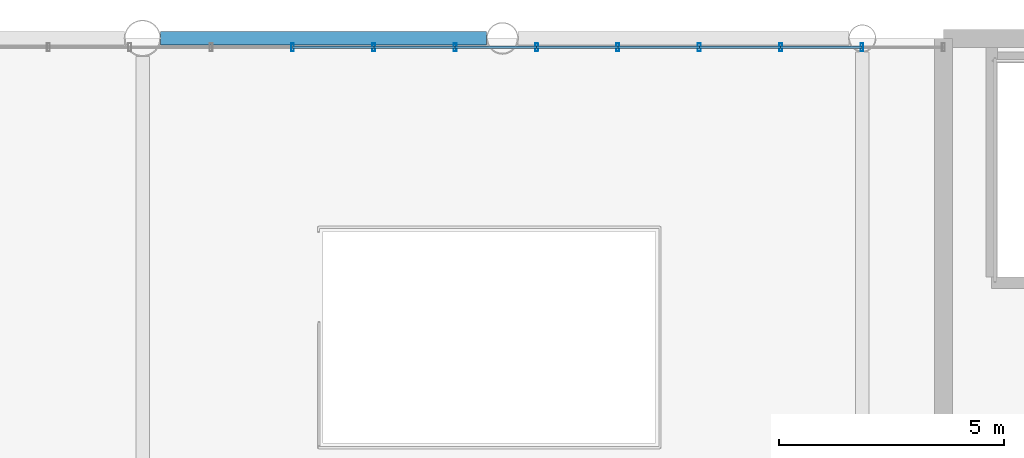
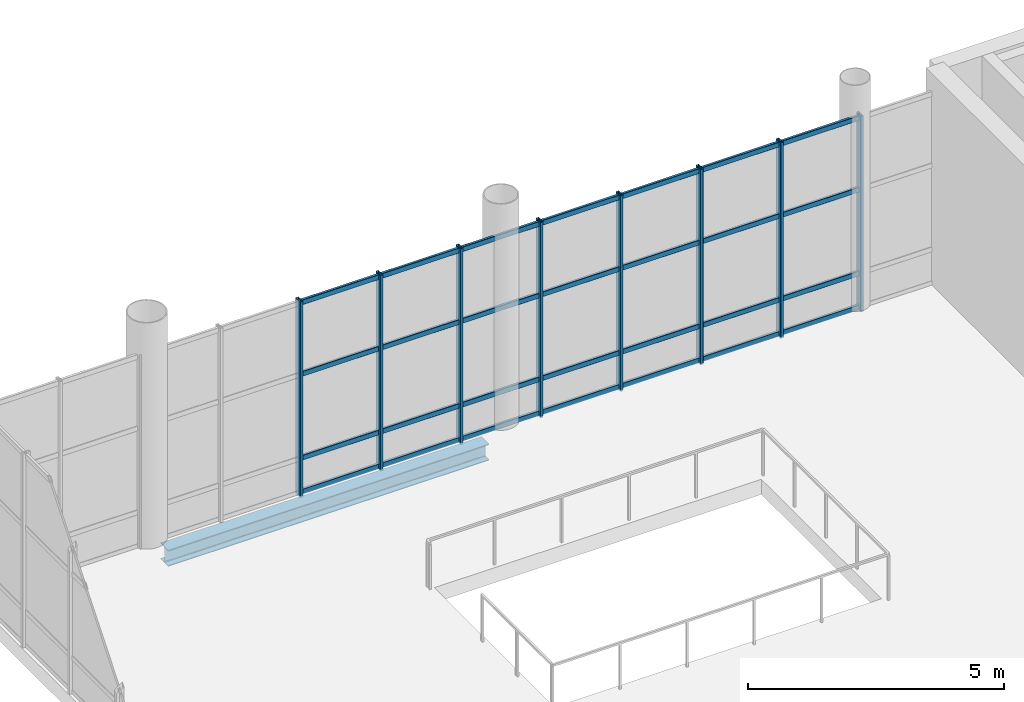
# One storey, part 111 of 176: 36 members, 1 beam, 1 element without a shape of its own.
"""IFC4 building model written with IfcOpenShell, lengths in metres."""

from ifc_helpers import new_model, si_unit, direction, frame, origin, origin_2d, place, context, subcontext, project, spatial, hollow_rectangle, i_section, extrude, material, layer, layer_set, material_profile, profile_set, type_object, element, aggregate, save


model = new_model("IFC4")

# Units and contexts
model_context = context("Model", 3, precision=1e-05, world=origin(), true_north=direction((0.0, 1.0)))
body_context = subcontext(model_context, "Body", "Model", "MODEL_VIEW")
ifc_project = project(units=[si_unit("LENGTHUNIT", "METRE"), si_unit("AREAUNIT", "SQUARE_METRE"), si_unit("VOLUMEUNIT", "CUBIC_METRE"), si_unit("PLANEANGLEUNIT", "RADIAN"), si_unit("MASSUNIT", "GRAM", prefix="KILO")], contexts=[model_context])

# Site, building, storey
site_placement = place(None, origin())
site = spatial("IfcSite", under=ifc_project, at=site_placement, CompositionType="ELEMENT")
building_placement = place(site_placement, origin())
building = spatial("IfcBuilding", under=site, at=building_placement, Name="Khorjan Park Terminus", CompositionType="ELEMENT")
storey_placement = place(building_placement, frame((0.0, 0.0, 6.0)))
storey = spatial("IfcBuildingStorey", under=building, at=storey_placement, Name="L01", CompositionType="ELEMENT", Elevation=6.0)

# Beam
ifc_material_1 = material(Name="Steel S355", Category="steel")
ifc_material_profile_1 = material_profile(ifc_material_1, i_section(OverallWidth=0.3, OverallDepth=0.39, WebThickness=0.011, FlangeThickness=0.019, FilletRadius=0.027, at=origin_2d()), Name="HEA 400")
ifc_profile_set_1 = profile_set([ifc_material_profile_1], Name="Steel S355")
beam_type = type_object("IfcBeamType", Name="BM-HEA400", PredefinedType="BEAM", material=ifc_profile_set_1)
beam_placement = place(storey_placement, frame((56.4015, 154.0, -0.555), z_axis=(1.0, 0.0, 0.0), x_axis=(0.0, 1.0, 0.0)))
element("IfcBeam", 1, at=beam_placement, inside=storey, type_object=beam_type, Name="Primary floor girder SB-A40 (L01)", PredefinedType="BEAM", context=body_context, shape_type="SweptSolid", body=[
    extrude(i_section(OverallWidth=0.3, OverallDepth=0.39, WebThickness=0.011, FlangeThickness=0.019, FilletRadius=0.027, at=origin_2d()), origin(), (0.0, 0.0, 1.0), 7.248),
])

# Curtain wall, members
ifc_material_2 = material(Name="Anodized Bronze Aluminium", Category="aluminium")
ifc_layer = layer(ifc_material_2, 0.22)
ifc_layer_set = layer_set([ifc_layer], Name="Anodized Bronze Aluminium")
curtain_wall_type = type_object("IfcCurtainWallType", Name="CW-BRG-D", PredefinedType="NOTDEFINED", material=ifc_layer_set)
curtain_wall_placement = place(storey_placement, origin())
curtain_wall = element("IfcCurtainWall", 2, at=curtain_wall_placement, inside=storey, type_object=curtain_wall_type, Name="Unitized curtain wall CW-D (CW-BRW-N)", PredefinedType="NOTDEFINED")
ifc_material_profile_2 = material_profile(ifc_material_2, hollow_rectangle(XDim=0.065, YDim=0.18, WallThickness=0.004, InnerFilletRadius=0.004, OuterFilletRadius=0.008, at=origin_2d()), Name="ALM 65x180x4")
ifc_profile_set_2 = profile_set([ifc_material_profile_2], Name="Anodized Bronze Aluminium")
member_type_1 = type_object("IfcMemberType", Name="ML-ALM-180", PredefinedType="MULLION", material=ifc_profile_set_2)
member_1_placement = place(storey_placement, frame((71.9917, 153.8, -0.035), z_axis=(0.0, 0.0, 1.0), x_axis=(-1.0, 0.0, 0.0)))
member_1 = element("IfcMember", 3, at=member_1_placement, type_object=member_type_1, Name="Curtain-wall mullion ML-18 (CW-BRW-N-1)", PredefinedType="MULLION", context=body_context, shape_type="SweptSolid", body=[
    extrude(hollow_rectangle(XDim=0.065, YDim=0.18, WallThickness=0.004, InnerFilletRadius=0.004, OuterFilletRadius=0.008, at=origin_2d()), origin(), (0.0, 0.0, 1.0), 4.67),
])
member_2_placement = place(storey_placement, frame((70.1833, 153.8, -0.035), z_axis=(0.0, 0.0, 1.0), x_axis=(-1.0, 0.0, 0.0)))
member_2 = element("IfcMember", 4, at=member_2_placement, type_object=member_type_1, Name="Curtain-wall mullion ML-18 (CW-BRW-N-2)", PredefinedType="MULLION", context=body_context, shape_type="SweptSolid", body=[
    extrude(hollow_rectangle(XDim=0.065, YDim=0.18, WallThickness=0.004, InnerFilletRadius=0.004, OuterFilletRadius=0.008, at=origin_2d()), origin(), (0.0, 0.0, 1.0), 4.67),
])
member_3_placement = place(storey_placement, frame((68.375, 153.8, -0.035), z_axis=(0.0, 0.0, 1.0), x_axis=(-1.0, 0.0, 0.0)))
member_3 = element("IfcMember", 5, at=member_3_placement, type_object=member_type_1, Name="Curtain-wall mullion ML-18 (CW-BRW-N-3)", PredefinedType="MULLION", context=body_context, shape_type="SweptSolid", body=[
    extrude(hollow_rectangle(XDim=0.065, YDim=0.18, WallThickness=0.004, InnerFilletRadius=0.004, OuterFilletRadius=0.008, at=origin_2d()), origin(), (0.0, 0.0, 1.0), 4.67),
])
member_4_placement = place(storey_placement, frame((66.5667, 153.8, -0.035), z_axis=(0.0, 0.0, 1.0), x_axis=(-1.0, 0.0, 0.0)))
member_4 = element("IfcMember", 6, at=member_4_placement, type_object=member_type_1, Name="Curtain-wall mullion ML-18 (CW-BRW-N-4)", PredefinedType="MULLION", context=body_context, shape_type="SweptSolid", body=[
    extrude(hollow_rectangle(XDim=0.065, YDim=0.18, WallThickness=0.004, InnerFilletRadius=0.004, OuterFilletRadius=0.008, at=origin_2d()), origin(), (0.0, 0.0, 1.0), 4.67),
])
member_5_placement = place(storey_placement, frame((64.7583, 153.8, -0.035), z_axis=(0.0, 0.0, 1.0), x_axis=(-1.0, 0.0, 0.0)))
member_5 = element("IfcMember", 7, at=member_5_placement, type_object=member_type_1, Name="Curtain-wall mullion ML-18 (CW-BRW-N-5)", PredefinedType="MULLION", context=body_context, shape_type="SweptSolid", body=[
    extrude(hollow_rectangle(XDim=0.065, YDim=0.18, WallThickness=0.004, InnerFilletRadius=0.004, OuterFilletRadius=0.008, at=origin_2d()), origin(), (0.0, 0.0, 1.0), 4.67),
])
member_6_placement = place(storey_placement, frame((62.95, 153.8, -0.035), z_axis=(0.0, 0.0, 1.0), x_axis=(-1.0, 0.0, 0.0)))
member_6 = element("IfcMember", 8, at=member_6_placement, type_object=member_type_1, Name="Curtain-wall mullion ML-18 (CW-BRW-N-6)", PredefinedType="MULLION", context=body_context, shape_type="SweptSolid", body=[
    extrude(hollow_rectangle(XDim=0.065, YDim=0.18, WallThickness=0.004, InnerFilletRadius=0.004, OuterFilletRadius=0.008, at=origin_2d()), origin(), (0.0, 0.0, 1.0), 4.67),
])
member_7_placement = place(storey_placement, frame((61.1417, 153.8, -0.035), z_axis=(0.0, 0.0, 1.0), x_axis=(-1.0, 0.0, 0.0)))
member_7 = element("IfcMember", 9, at=member_7_placement, type_object=member_type_1, Name="Curtain-wall mullion ML-18 (CW-BRW-N-7)", PredefinedType="MULLION", context=body_context, shape_type="SweptSolid", body=[
    extrude(hollow_rectangle(XDim=0.065, YDim=0.18, WallThickness=0.004, InnerFilletRadius=0.004, OuterFilletRadius=0.008, at=origin_2d()), origin(), (0.0, 0.0, 1.0), 4.67),
])
member_8_placement = place(storey_placement, frame((59.3333, 153.8, -0.035), z_axis=(0.0, 0.0, 1.0), x_axis=(-1.0, 0.0, 0.0)))
member_8 = element("IfcMember", 10, at=member_8_placement, type_object=member_type_1, Name="Curtain-wall mullion ML-18 (CW-BRW-N-8)", PredefinedType="MULLION", context=body_context, shape_type="SweptSolid", body=[
    extrude(hollow_rectangle(XDim=0.065, YDim=0.18, WallThickness=0.004, InnerFilletRadius=0.004, OuterFilletRadius=0.008, at=origin_2d()), origin(), (0.0, 0.0, 1.0), 4.67),
])
ifc_material_profile_3 = material_profile(ifc_material_2, hollow_rectangle(XDim=0.06, YDim=0.12, WallThickness=0.004, InnerFilletRadius=0.004, OuterFilletRadius=0.008, at=origin_2d()), Name="ALT 60x120x4")
ifc_profile_set_3 = profile_set([ifc_material_profile_3], Name="Anodized Bronze Aluminium")
member_type_2 = type_object("IfcMemberType", Name="TR-ALT-120", PredefinedType="USERDEFINED", material=ifc_profile_set_3)
member_9_placement = place(storey_placement, frame((71.9917, 153.8, 0.04), z_axis=(-1.0, 0.0, 0.0), x_axis=(0.0, -1.0, 0.0)))
member_9 = element("IfcMember", 11, at=member_9_placement, type_object=member_type_2, Name="Curtain-wall transom TR-12 (CW-BRW-N-1-1)", ObjectType="TRANSOM", PredefinedType="USERDEFINED", context=body_context, shape_type="SweptSolid", body=[
    extrude(hollow_rectangle(XDim=0.06, YDim=0.12, WallThickness=0.004, InnerFilletRadius=0.004, OuterFilletRadius=0.008, at=origin_2d()), origin(), (0.0, 0.0, 1.0), 1.8084),
])
member_10_placement = place(storey_placement, frame((71.9917, 153.8, 0.85), z_axis=(-1.0, 0.0, 0.0), x_axis=(0.0, -1.0, 0.0)))
member_10 = element("IfcMember", 12, at=member_10_placement, type_object=member_type_2, Name="Curtain-wall transom TR-12 (CW-BRW-N-1-2)", ObjectType="TRANSOM", PredefinedType="USERDEFINED", context=body_context, shape_type="SweptSolid", body=[
    extrude(hollow_rectangle(XDim=0.06, YDim=0.12, WallThickness=0.004, InnerFilletRadius=0.004, OuterFilletRadius=0.008, at=origin_2d()), origin(), (0.0, 0.0, 1.0), 1.8084),
])
member_11_placement = place(storey_placement, frame((71.9917, 153.8, 2.852), z_axis=(-1.0, 0.0, 0.0), x_axis=(0.0, -1.0, 0.0)))
member_11 = element("IfcMember", 13, at=member_11_placement, type_object=member_type_2, Name="Curtain-wall transom TR-12 (CW-BRW-N-1-3)", ObjectType="TRANSOM", PredefinedType="USERDEFINED", context=body_context, shape_type="SweptSolid", body=[
    extrude(hollow_rectangle(XDim=0.06, YDim=0.12, WallThickness=0.004, InnerFilletRadius=0.004, OuterFilletRadius=0.008, at=origin_2d()), origin(), (0.0, 0.0, 1.0), 1.8084),
])
member_12_placement = place(storey_placement, frame((71.9917, 153.8, 4.56), z_axis=(-1.0, 0.0, 0.0), x_axis=(0.0, -1.0, 0.0)))
member_12 = element("IfcMember", 14, at=member_12_placement, type_object=member_type_2, Name="Curtain-wall transom TR-12 (CW-BRW-N-1-4)", ObjectType="TRANSOM", PredefinedType="USERDEFINED", context=body_context, shape_type="SweptSolid", body=[
    extrude(hollow_rectangle(XDim=0.06, YDim=0.12, WallThickness=0.004, InnerFilletRadius=0.004, OuterFilletRadius=0.008, at=origin_2d()), origin(), (0.0, 0.0, 1.0), 1.8084),
])
member_13_placement = place(storey_placement, frame((70.1833, 153.8, 0.04), z_axis=(-1.0, 0.0, 0.0), x_axis=(0.0, -1.0, 0.0)))
member_13 = element("IfcMember", 15, at=member_13_placement, type_object=member_type_2, Name="Curtain-wall transom TR-12 (CW-BRW-N-2-1)", ObjectType="TRANSOM", PredefinedType="USERDEFINED", context=body_context, shape_type="SweptSolid", body=[
    extrude(hollow_rectangle(XDim=0.06, YDim=0.12, WallThickness=0.004, InnerFilletRadius=0.004, OuterFilletRadius=0.008, at=origin_2d()), origin(), (0.0, 0.0, 1.0), 1.8083),
])
member_14_placement = place(storey_placement, frame((70.1833, 153.8, 0.85), z_axis=(-1.0, 0.0, 0.0), x_axis=(0.0, -1.0, 0.0)))
member_14 = element("IfcMember", 16, at=member_14_placement, type_object=member_type_2, Name="Curtain-wall transom TR-12 (CW-BRW-N-2-2)", ObjectType="TRANSOM", PredefinedType="USERDEFINED", context=body_context, shape_type="SweptSolid", body=[
    extrude(hollow_rectangle(XDim=0.06, YDim=0.12, WallThickness=0.004, InnerFilletRadius=0.004, OuterFilletRadius=0.008, at=origin_2d()), origin(), (0.0, 0.0, 1.0), 1.8083),
])
member_15_placement = place(storey_placement, frame((70.1833, 153.8, 2.852), z_axis=(-1.0, 0.0, 0.0), x_axis=(0.0, -1.0, 0.0)))
member_15 = element("IfcMember", 17, at=member_15_placement, type_object=member_type_2, Name="Curtain-wall transom TR-12 (CW-BRW-N-2-3)", ObjectType="TRANSOM", PredefinedType="USERDEFINED", context=body_context, shape_type="SweptSolid", body=[
    extrude(hollow_rectangle(XDim=0.06, YDim=0.12, WallThickness=0.004, InnerFilletRadius=0.004, OuterFilletRadius=0.008, at=origin_2d()), origin(), (0.0, 0.0, 1.0), 1.8083),
])
member_16_placement = place(storey_placement, frame((70.1833, 153.8, 4.56), z_axis=(-1.0, 0.0, 0.0), x_axis=(0.0, -1.0, 0.0)))
member_16 = element("IfcMember", 18, at=member_16_placement, type_object=member_type_2, Name="Curtain-wall transom TR-12 (CW-BRW-N-2-4)", ObjectType="TRANSOM", PredefinedType="USERDEFINED", context=body_context, shape_type="SweptSolid", body=[
    extrude(hollow_rectangle(XDim=0.06, YDim=0.12, WallThickness=0.004, InnerFilletRadius=0.004, OuterFilletRadius=0.008, at=origin_2d()), origin(), (0.0, 0.0, 1.0), 1.8083),
])
member_17_placement = place(storey_placement, frame((68.375, 153.8, 0.04), z_axis=(-1.0, 0.0, 0.0), x_axis=(0.0, -1.0, 0.0)))
member_17 = element("IfcMember", 19, at=member_17_placement, type_object=member_type_2, Name="Curtain-wall transom TR-12 (CW-BRW-N-3-1)", ObjectType="TRANSOM", PredefinedType="USERDEFINED", context=body_context, shape_type="SweptSolid", body=[
    extrude(hollow_rectangle(XDim=0.06, YDim=0.12, WallThickness=0.004, InnerFilletRadius=0.004, OuterFilletRadius=0.008, at=origin_2d()), origin(), (0.0, 0.0, 1.0), 1.8083),
])
member_18_placement = place(storey_placement, frame((68.375, 153.8, 0.85), z_axis=(-1.0, 0.0, 0.0), x_axis=(0.0, -1.0, 0.0)))
member_18 = element("IfcMember", 20, at=member_18_placement, type_object=member_type_2, Name="Curtain-wall transom TR-12 (CW-BRW-N-3-2)", ObjectType="TRANSOM", PredefinedType="USERDEFINED", context=body_context, shape_type="SweptSolid", body=[
    extrude(hollow_rectangle(XDim=0.06, YDim=0.12, WallThickness=0.004, InnerFilletRadius=0.004, OuterFilletRadius=0.008, at=origin_2d()), origin(), (0.0, 0.0, 1.0), 1.8083),
])
member_19_placement = place(storey_placement, frame((68.375, 153.8, 2.852), z_axis=(-1.0, 0.0, 0.0), x_axis=(0.0, -1.0, 0.0)))
member_19 = element("IfcMember", 21, at=member_19_placement, type_object=member_type_2, Name="Curtain-wall transom TR-12 (CW-BRW-N-3-3)", ObjectType="TRANSOM", PredefinedType="USERDEFINED", context=body_context, shape_type="SweptSolid", body=[
    extrude(hollow_rectangle(XDim=0.06, YDim=0.12, WallThickness=0.004, InnerFilletRadius=0.004, OuterFilletRadius=0.008, at=origin_2d()), origin(), (0.0, 0.0, 1.0), 1.8083),
])
member_20_placement = place(storey_placement, frame((68.375, 153.8, 4.56), z_axis=(-1.0, 0.0, 0.0), x_axis=(0.0, -1.0, 0.0)))
member_20 = element("IfcMember", 22, at=member_20_placement, type_object=member_type_2, Name="Curtain-wall transom TR-12 (CW-BRW-N-3-4)", ObjectType="TRANSOM", PredefinedType="USERDEFINED", context=body_context, shape_type="SweptSolid", body=[
    extrude(hollow_rectangle(XDim=0.06, YDim=0.12, WallThickness=0.004, InnerFilletRadius=0.004, OuterFilletRadius=0.008, at=origin_2d()), origin(), (0.0, 0.0, 1.0), 1.8083),
])
member_21_placement = place(storey_placement, frame((66.5667, 153.8, 0.04), z_axis=(-1.0, 0.0, 0.0), x_axis=(0.0, -1.0, 0.0)))
member_21 = element("IfcMember", 23, at=member_21_placement, type_object=member_type_2, Name="Curtain-wall transom TR-12 (CW-BRW-N-4-1)", ObjectType="TRANSOM", PredefinedType="USERDEFINED", context=body_context, shape_type="SweptSolid", body=[
    extrude(hollow_rectangle(XDim=0.06, YDim=0.12, WallThickness=0.004, InnerFilletRadius=0.004, OuterFilletRadius=0.008, at=origin_2d()), origin(), (0.0, 0.0, 1.0), 1.8084),
])
member_22_placement = place(storey_placement, frame((66.5667, 153.8, 0.85), z_axis=(-1.0, 0.0, 0.0), x_axis=(0.0, -1.0, 0.0)))
member_22 = element("IfcMember", 24, at=member_22_placement, type_object=member_type_2, Name="Curtain-wall transom TR-12 (CW-BRW-N-4-2)", ObjectType="TRANSOM", PredefinedType="USERDEFINED", context=body_context, shape_type="SweptSolid", body=[
    extrude(hollow_rectangle(XDim=0.06, YDim=0.12, WallThickness=0.004, InnerFilletRadius=0.004, OuterFilletRadius=0.008, at=origin_2d()), origin(), (0.0, 0.0, 1.0), 1.8084),
])
member_23_placement = place(storey_placement, frame((66.5667, 153.8, 2.852), z_axis=(-1.0, 0.0, 0.0), x_axis=(0.0, -1.0, 0.0)))
member_23 = element("IfcMember", 25, at=member_23_placement, type_object=member_type_2, Name="Curtain-wall transom TR-12 (CW-BRW-N-4-3)", ObjectType="TRANSOM", PredefinedType="USERDEFINED", context=body_context, shape_type="SweptSolid", body=[
    extrude(hollow_rectangle(XDim=0.06, YDim=0.12, WallThickness=0.004, InnerFilletRadius=0.004, OuterFilletRadius=0.008, at=origin_2d()), origin(), (0.0, 0.0, 1.0), 1.8084),
])
member_24_placement = place(storey_placement, frame((66.5667, 153.8, 4.56), z_axis=(-1.0, 0.0, 0.0), x_axis=(0.0, -1.0, 0.0)))
member_24 = element("IfcMember", 26, at=member_24_placement, type_object=member_type_2, Name="Curtain-wall transom TR-12 (CW-BRW-N-4-4)", ObjectType="TRANSOM", PredefinedType="USERDEFINED", context=body_context, shape_type="SweptSolid", body=[
    extrude(hollow_rectangle(XDim=0.06, YDim=0.12, WallThickness=0.004, InnerFilletRadius=0.004, OuterFilletRadius=0.008, at=origin_2d()), origin(), (0.0, 0.0, 1.0), 1.8084),
])
member_25_placement = place(storey_placement, frame((64.7583, 153.8, 0.04), z_axis=(-1.0, 0.0, 0.0), x_axis=(0.0, -1.0, 0.0)))
member_25 = element("IfcMember", 27, at=member_25_placement, type_object=member_type_2, Name="Curtain-wall transom TR-12 (CW-BRW-N-5-1)", ObjectType="TRANSOM", PredefinedType="USERDEFINED", context=body_context, shape_type="SweptSolid", body=[
    extrude(hollow_rectangle(XDim=0.06, YDim=0.12, WallThickness=0.004, InnerFilletRadius=0.004, OuterFilletRadius=0.008, at=origin_2d()), origin(), (0.0, 0.0, 1.0), 1.8083),
])
member_26_placement = place(storey_placement, frame((64.7583, 153.8, 0.85), z_axis=(-1.0, 0.0, 0.0), x_axis=(0.0, -1.0, 0.0)))
member_26 = element("IfcMember", 28, at=member_26_placement, type_object=member_type_2, Name="Curtain-wall transom TR-12 (CW-BRW-N-5-2)", ObjectType="TRANSOM", PredefinedType="USERDEFINED", context=body_context, shape_type="SweptSolid", body=[
    extrude(hollow_rectangle(XDim=0.06, YDim=0.12, WallThickness=0.004, InnerFilletRadius=0.004, OuterFilletRadius=0.008, at=origin_2d()), origin(), (0.0, 0.0, 1.0), 1.8083),
])
member_27_placement = place(storey_placement, frame((64.7583, 153.8, 2.852), z_axis=(-1.0, 0.0, 0.0), x_axis=(0.0, -1.0, 0.0)))
member_27 = element("IfcMember", 29, at=member_27_placement, type_object=member_type_2, Name="Curtain-wall transom TR-12 (CW-BRW-N-5-3)", ObjectType="TRANSOM", PredefinedType="USERDEFINED", context=body_context, shape_type="SweptSolid", body=[
    extrude(hollow_rectangle(XDim=0.06, YDim=0.12, WallThickness=0.004, InnerFilletRadius=0.004, OuterFilletRadius=0.008, at=origin_2d()), origin(), (0.0, 0.0, 1.0), 1.8083),
])
member_28_placement = place(storey_placement, frame((64.7583, 153.8, 4.56), z_axis=(-1.0, 0.0, 0.0), x_axis=(0.0, -1.0, 0.0)))
member_28 = element("IfcMember", 30, at=member_28_placement, type_object=member_type_2, Name="Curtain-wall transom TR-12 (CW-BRW-N-5-4)", ObjectType="TRANSOM", PredefinedType="USERDEFINED", context=body_context, shape_type="SweptSolid", body=[
    extrude(hollow_rectangle(XDim=0.06, YDim=0.12, WallThickness=0.004, InnerFilletRadius=0.004, OuterFilletRadius=0.008, at=origin_2d()), origin(), (0.0, 0.0, 1.0), 1.8083),
])
member_29_placement = place(storey_placement, frame((62.95, 153.8, 0.04), z_axis=(-1.0, 0.0, 0.0), x_axis=(0.0, -1.0, 0.0)))
member_29 = element("IfcMember", 31, at=member_29_placement, type_object=member_type_2, Name="Curtain-wall transom TR-12 (CW-BRW-N-6-1)", ObjectType="TRANSOM", PredefinedType="USERDEFINED", context=body_context, shape_type="SweptSolid", body=[
    extrude(hollow_rectangle(XDim=0.06, YDim=0.12, WallThickness=0.004, InnerFilletRadius=0.004, OuterFilletRadius=0.008, at=origin_2d()), origin(), (0.0, 0.0, 1.0), 1.8083),
])
member_30_placement = place(storey_placement, frame((62.95, 153.8, 0.85), z_axis=(-1.0, 0.0, 0.0), x_axis=(0.0, -1.0, 0.0)))
member_30 = element("IfcMember", 32, at=member_30_placement, type_object=member_type_2, Name="Curtain-wall transom TR-12 (CW-BRW-N-6-2)", ObjectType="TRANSOM", PredefinedType="USERDEFINED", context=body_context, shape_type="SweptSolid", body=[
    extrude(hollow_rectangle(XDim=0.06, YDim=0.12, WallThickness=0.004, InnerFilletRadius=0.004, OuterFilletRadius=0.008, at=origin_2d()), origin(), (0.0, 0.0, 1.0), 1.8083),
])
member_31_placement = place(storey_placement, frame((62.95, 153.8, 2.852), z_axis=(-1.0, 0.0, 0.0), x_axis=(0.0, -1.0, 0.0)))
member_31 = element("IfcMember", 33, at=member_31_placement, type_object=member_type_2, Name="Curtain-wall transom TR-12 (CW-BRW-N-6-3)", ObjectType="TRANSOM", PredefinedType="USERDEFINED", context=body_context, shape_type="SweptSolid", body=[
    extrude(hollow_rectangle(XDim=0.06, YDim=0.12, WallThickness=0.004, InnerFilletRadius=0.004, OuterFilletRadius=0.008, at=origin_2d()), origin(), (0.0, 0.0, 1.0), 1.8083),
])
member_32_placement = place(storey_placement, frame((62.95, 153.8, 4.56), z_axis=(-1.0, 0.0, 0.0), x_axis=(0.0, -1.0, 0.0)))
member_32 = element("IfcMember", 34, at=member_32_placement, type_object=member_type_2, Name="Curtain-wall transom TR-12 (CW-BRW-N-6-4)", ObjectType="TRANSOM", PredefinedType="USERDEFINED", context=body_context, shape_type="SweptSolid", body=[
    extrude(hollow_rectangle(XDim=0.06, YDim=0.12, WallThickness=0.004, InnerFilletRadius=0.004, OuterFilletRadius=0.008, at=origin_2d()), origin(), (0.0, 0.0, 1.0), 1.8083),
])
member_33_placement = place(storey_placement, frame((61.1417, 153.8, 0.04), z_axis=(-1.0, 0.0, 0.0), x_axis=(0.0, -1.0, 0.0)))
member_33 = element("IfcMember", 35, at=member_33_placement, type_object=member_type_2, Name="Curtain-wall transom TR-12 (CW-BRW-N-7-1)", ObjectType="TRANSOM", PredefinedType="USERDEFINED", context=body_context, shape_type="SweptSolid", body=[
    extrude(hollow_rectangle(XDim=0.06, YDim=0.12, WallThickness=0.004, InnerFilletRadius=0.004, OuterFilletRadius=0.008, at=origin_2d()), origin(), (0.0, 0.0, 1.0), 1.8084),
])
member_34_placement = place(storey_placement, frame((61.1417, 153.8, 0.85), z_axis=(-1.0, 0.0, 0.0), x_axis=(0.0, -1.0, 0.0)))
member_34 = element("IfcMember", 36, at=member_34_placement, type_object=member_type_2, Name="Curtain-wall transom TR-12 (CW-BRW-N-7-2)", ObjectType="TRANSOM", PredefinedType="USERDEFINED", context=body_context, shape_type="SweptSolid", body=[
    extrude(hollow_rectangle(XDim=0.06, YDim=0.12, WallThickness=0.004, InnerFilletRadius=0.004, OuterFilletRadius=0.008, at=origin_2d()), origin(), (0.0, 0.0, 1.0), 1.8084),
])
member_35_placement = place(storey_placement, frame((61.1417, 153.8, 2.852), z_axis=(-1.0, 0.0, 0.0), x_axis=(0.0, -1.0, 0.0)))
member_35 = element("IfcMember", 37, at=member_35_placement, type_object=member_type_2, Name="Curtain-wall transom TR-12 (CW-BRW-N-7-3)", ObjectType="TRANSOM", PredefinedType="USERDEFINED", context=body_context, shape_type="SweptSolid", body=[
    extrude(hollow_rectangle(XDim=0.06, YDim=0.12, WallThickness=0.004, InnerFilletRadius=0.004, OuterFilletRadius=0.008, at=origin_2d()), origin(), (0.0, 0.0, 1.0), 1.8084),
])
member_36_placement = place(storey_placement, frame((61.1417, 153.8, 4.56), z_axis=(-1.0, 0.0, 0.0), x_axis=(0.0, -1.0, 0.0)))
member_36 = element("IfcMember", 38, at=member_36_placement, type_object=member_type_2, Name="Curtain-wall transom TR-12 (CW-BRW-N-7-4)", ObjectType="TRANSOM", PredefinedType="USERDEFINED", context=body_context, shape_type="SweptSolid", body=[
    extrude(hollow_rectangle(XDim=0.06, YDim=0.12, WallThickness=0.004, InnerFilletRadius=0.004, OuterFilletRadius=0.008, at=origin_2d()), origin(), (0.0, 0.0, 1.0), 1.8084),
])
aggregate(curtain_wall, [member_1, member_2, member_3, member_4, member_5, member_6, member_7, member_8, member_9, member_10, member_11, member_12, member_13, member_14, member_15, member_16, member_17, member_18, member_19, member_20, member_21, member_22, member_23, member_24, member_25, member_26, member_27, member_28, member_29, member_30, member_31, member_32, member_33, member_34, member_35, member_36])

save(model, "model.ifc")
